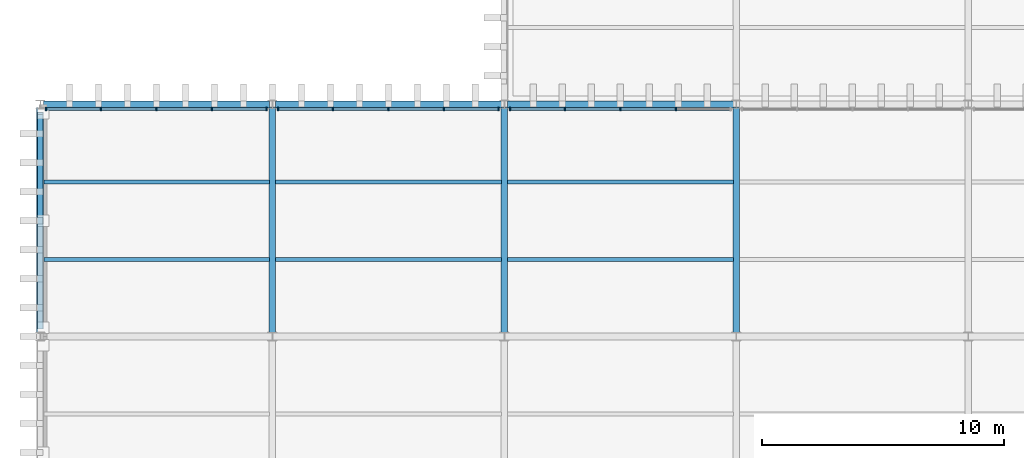
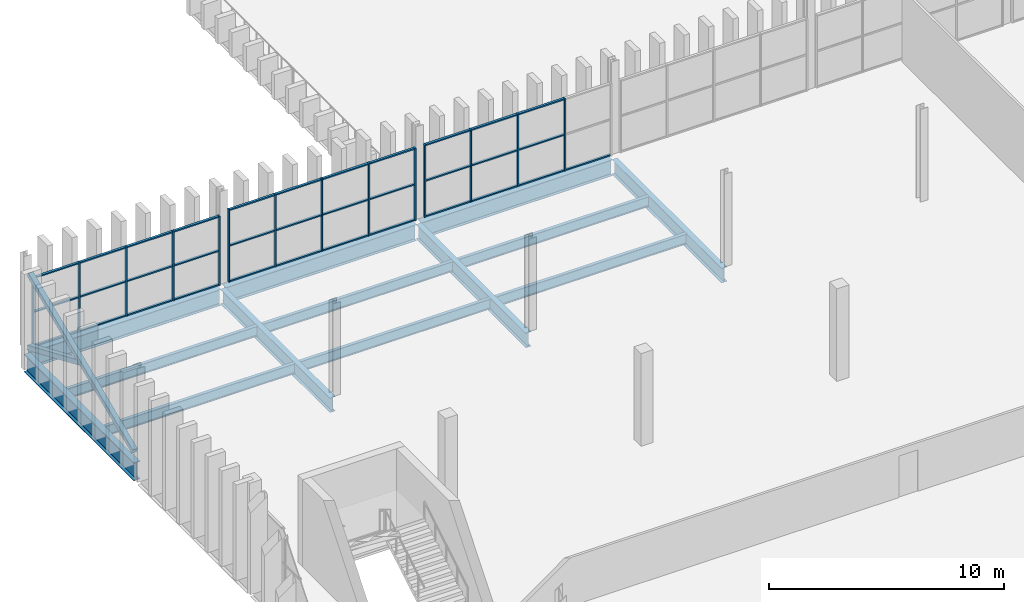
# One storey, part 25 of 99: 50 members, 13 beams, 3 elements without a shape of their own.
"""IFC4 building model written with IfcOpenShell, lengths in metres."""

from ifc_helpers import new_model, si_unit, direction, frame, origin, origin_2d, place, context, subcontext, project, spatial, rectangle, hollow_rectangle, i_section, extrude, material, layer, layer_set, material_profile, profile_set, type_object, element, aggregate, save


model = new_model("IFC4")

# Units and contexts
model_context = context("Model", 3, precision=1e-05, world=origin(), true_north=direction((0.0, 1.0)))
body_context = subcontext(model_context, "Body", "Model", "MODEL_VIEW")
ifc_project = project(units=[si_unit("LENGTHUNIT", "METRE"), si_unit("AREAUNIT", "SQUARE_METRE"), si_unit("VOLUMEUNIT", "CUBIC_METRE"), si_unit("PLANEANGLEUNIT", "RADIAN"), si_unit("MASSUNIT", "GRAM", prefix="KILO")], contexts=[model_context])

# Site, building, storey
site_placement = place(None, origin())
site = spatial("IfcSite", under=ifc_project, at=site_placement, CompositionType="ELEMENT")
building_placement = place(site_placement, origin())
building = spatial("IfcBuilding", under=site, at=building_placement, Name="Caelomonte Colonnade Arena", CompositionType="ELEMENT")
storey_placement = place(building_placement, frame((0.0, 0.0, 4.800048828125)))
storey = spatial("IfcBuildingStorey", under=building, at=storey_placement, Name="L01", CompositionType="ELEMENT", Elevation=4.800048828125)

# Curtain wall, members
ifc_material_1 = material(Name="Bronze anodised aluminium and low-E glazing", Category="aluminium")
ifc_layer_1 = layer(ifc_material_1, 0.179931640625)
ifc_layer_set_1 = layer_set([ifc_layer_1], Name="Bronze anodised aluminium and low-E glazing")
curtain_wall_type_1 = type_object("IfcCurtainWallType", Name="ENV-CW-CW-L01-96-38", PredefinedType="USERDEFINED", material=ifc_layer_set_1)
curtain_wall_1_placement = place(storey_placement, origin())
curtain_wall_1 = element("IfcCurtainWall", 1, at=curtain_wall_1_placement, inside=storey, type_object=curtain_wall_type_1, Name="L01 unitized curtain wall CW-L01-0240-0862", ObjectType="UNITIZED CURTAIN WALL", PredefinedType="USERDEFINED")
ifc_material_2 = material(Name="Bronze anodised aluminium AA6063-T6", Category="aluminium")
ifc_material_profile_1 = material_profile(ifc_material_2, rectangle(XDim=0.06494140625, YDim=0.14990234375, at=origin_2d()), Name="CWM-65X150")
ifc_profile_set_1 = profile_set([ifc_material_profile_1], Name="Bronze anodised aluminium AA6063-T6")
member_type_1 = type_object("IfcMemberType", Name="ENV-CW-MULL2", PredefinedType="MULLION", material=ifc_profile_set_1)
member_1_placement = place(storey_placement, frame((26.2978515625, 86.219970703125, 0.0), z_axis=(0.0, 0.0, 1.0), x_axis=(-1.0, 0.0, 0.0)))
member_1 = element("IfcMember", 2, at=member_1_placement, type_object=member_type_1, Name="CW-L01-96-38 mullion 2", PredefinedType="MULLION", context=body_context, shape_type="SweptSolid", body=[
    extrude(rectangle(XDim=0.06494140625, YDim=0.14990234375, at=origin_2d()), origin(), (0.0, 0.0, 1.0), 3.758056640625),
])
member_2_placement = place(storey_placement, frame((24.0, 86.219970703125, 0.0), z_axis=(0.0, 0.0, 1.0), x_axis=(-1.0, 0.0, 0.0)))
member_2 = element("IfcMember", 3, at=member_2_placement, type_object=member_type_1, Name="CW-L01-96-38 mullion 3", PredefinedType="MULLION", context=body_context, shape_type="SweptSolid", body=[
    extrude(rectangle(XDim=0.06494140625, YDim=0.14990234375, at=origin_2d()), origin(), (0.0, 0.0, 1.0), 3.758056640625),
])
member_3_placement = place(storey_placement, frame((21.7021484375, 86.219970703125, 0.0), z_axis=(0.0, 0.0, 1.0), x_axis=(-1.0, 0.0, 0.0)))
member_3 = element("IfcMember", 4, at=member_3_placement, type_object=member_type_1, Name="CW-L01-96-38 mullion 4", PredefinedType="MULLION", context=body_context, shape_type="SweptSolid", body=[
    extrude(rectangle(XDim=0.06494140625, YDim=0.14990234375, at=origin_2d()), origin(), (0.0, 0.0, 1.0), 3.758056640625),
])
member_4_placement = place(storey_placement, frame((19.43701171875, 86.219970703125, 0.0), z_axis=(0.0, 0.0, 1.0), x_axis=(-1.0, 0.0, 0.0)))
member_4 = element("IfcMember", 5, at=member_4_placement, type_object=member_type_1, Name="CW-L01-96-38 mullion 5", PredefinedType="MULLION", context=body_context, shape_type="SweptSolid", body=[
    extrude(rectangle(XDim=0.06494140625, YDim=0.14990234375, at=origin_2d()), origin(), (0.0, 0.0, 1.0), 3.758056640625),
])

curtain_wall_2_placement = place(storey_placement, origin())
curtain_wall_2 = element("IfcCurtainWall", 6, at=curtain_wall_2_placement, inside=storey, type_object=curtain_wall_type_1, Name="L01 unitized curtain wall CW-L01-0144-0862", ObjectType="UNITIZED CURTAIN WALL", PredefinedType="USERDEFINED")
member_5_placement = place(storey_placement, frame((18.963134765625, 86.219970703125, 0.0), z_axis=(0.0, 0.0, 1.0), x_axis=(-1.0, 0.0, 0.0)))
member_5 = element("IfcMember", 7, at=member_5_placement, type_object=member_type_1, Name="CW-L01-96-38 mullion 1", PredefinedType="MULLION", context=body_context, shape_type="SweptSolid", body=[
    extrude(rectangle(XDim=0.06494140625, YDim=0.14990234375, at=origin_2d()), origin(), (0.0, 0.0, 1.0), 3.758056640625),
])
member_6_placement = place(storey_placement, frame((16.69775390625, 86.219970703125, 0.0), z_axis=(0.0, 0.0, 1.0), x_axis=(-1.0, 0.0, 0.0)))
member_6 = element("IfcMember", 8, at=member_6_placement, type_object=member_type_1, Name="CW-L01-96-38 mullion 2", PredefinedType="MULLION", context=body_context, shape_type="SweptSolid", body=[
    extrude(rectangle(XDim=0.06494140625, YDim=0.14990234375, at=origin_2d()), origin(), (0.0, 0.0, 1.0), 3.758056640625),
])
member_7_placement = place(storey_placement, frame((14.39990234375, 86.219970703125, 0.0), z_axis=(0.0, 0.0, 1.0), x_axis=(-1.0, 0.0, 0.0)))
member_7 = element("IfcMember", 9, at=member_7_placement, type_object=member_type_1, Name="CW-L01-96-38 mullion 3", PredefinedType="MULLION", context=body_context, shape_type="SweptSolid", body=[
    extrude(rectangle(XDim=0.06494140625, YDim=0.14990234375, at=origin_2d()), origin(), (0.0, 0.0, 1.0), 3.758056640625),
])
member_8_placement = place(storey_placement, frame((12.102294921875, 86.219970703125, 0.0), z_axis=(0.0, 0.0, 1.0), x_axis=(-1.0, 0.0, 0.0)))
member_8 = element("IfcMember", 10, at=member_8_placement, type_object=member_type_1, Name="CW-L01-96-38 mullion 4", PredefinedType="MULLION", context=body_context, shape_type="SweptSolid", body=[
    extrude(rectangle(XDim=0.06494140625, YDim=0.14990234375, at=origin_2d()), origin(), (0.0, 0.0, 1.0), 3.758056640625),
])
member_9_placement = place(storey_placement, frame((9.8369140625, 86.219970703125, 0.0), z_axis=(0.0, 0.0, 1.0), x_axis=(-1.0, 0.0, 0.0)))
member_9 = element("IfcMember", 11, at=member_9_placement, type_object=member_type_1, Name="CW-L01-96-38 mullion 5", PredefinedType="MULLION", context=body_context, shape_type="SweptSolid", body=[
    extrude(rectangle(XDim=0.06494140625, YDim=0.14990234375, at=origin_2d()), origin(), (0.0, 0.0, 1.0), 3.758056640625),
])

ifc_layer_2 = layer(ifc_material_1, 0.179931640625)
ifc_layer_set_2 = layer_set([ifc_layer_2], Name="Bronze anodised aluminium and low-E glazing")
curtain_wall_type_2 = type_object("IfcCurtainWallType", Name="ENV-CW-CW-L01-96-36", PredefinedType="USERDEFINED", material=ifc_layer_set_2)
curtain_wall_3_placement = place(storey_placement, origin())
curtain_wall_3 = element("IfcCurtainWall", 12, at=curtain_wall_3_placement, inside=storey, type_object=curtain_wall_type_2, Name="L01 unitized curtain wall CW-L01-0048-0862", ObjectType="UNITIZED CURTAIN WALL", PredefinedType="USERDEFINED")
member_10_placement = place(storey_placement, frame((9.363037109375, 86.219970703125, 0.0), z_axis=(0.0, 0.0, 1.0), x_axis=(-1.0, 0.0, 0.0)))
member_10 = element("IfcMember", 13, at=member_10_placement, type_object=member_type_1, Name="CW-L01-96-36 mullion 1", PredefinedType="MULLION", context=body_context, shape_type="SweptSolid", body=[
    extrude(rectangle(XDim=0.06494140625, YDim=0.14990234375, at=origin_2d()), origin(), (0.0, 0.0, 1.0), 3.593017578125),
])
member_11_placement = place(storey_placement, frame((7.097900390625, 86.219970703125, 0.0), z_axis=(0.0, 0.0, 1.0), x_axis=(-1.0, 0.0, 0.0)))
member_11 = element("IfcMember", 14, at=member_11_placement, type_object=member_type_1, Name="CW-L01-96-36 mullion 2", PredefinedType="MULLION", context=body_context, shape_type="SweptSolid", body=[
    extrude(rectangle(XDim=0.06494140625, YDim=0.14990234375, at=origin_2d()), origin(), (0.0, 0.0, 1.0), 3.593017578125),
])
member_12_placement = place(storey_placement, frame((4.800048828125, 86.219970703125, 0.0), z_axis=(0.0, 0.0, 1.0), x_axis=(-1.0, 0.0, 0.0)))
member_12 = element("IfcMember", 15, at=member_12_placement, type_object=member_type_1, Name="CW-L01-96-36 mullion 3", PredefinedType="MULLION", context=body_context, shape_type="SweptSolid", body=[
    extrude(rectangle(XDim=0.06494140625, YDim=0.14990234375, at=origin_2d()), origin(), (0.0, 0.0, 1.0), 3.593017578125),
])
member_13_placement = place(storey_placement, frame((2.502197265625, 86.219970703125, 0.0), z_axis=(0.0, 0.0, 1.0), x_axis=(-1.0, 0.0, 0.0)))
member_13 = element("IfcMember", 16, at=member_13_placement, type_object=member_type_1, Name="CW-L01-96-36 mullion 4", PredefinedType="MULLION", context=body_context, shape_type="SweptSolid", body=[
    extrude(rectangle(XDim=0.06494140625, YDim=0.14990234375, at=origin_2d()), origin(), (0.0, 0.0, 1.0), 3.593017578125),
])
member_14_placement = place(storey_placement, frame((0.23681640625, 86.219970703125, 0.0), z_axis=(0.0, 0.0, 1.0), x_axis=(-1.0, 0.0, 0.0)))
member_14 = element("IfcMember", 17, at=member_14_placement, type_object=member_type_1, Name="CW-L01-96-36 mullion 5", PredefinedType="MULLION", context=body_context, shape_type="SweptSolid", body=[
    extrude(rectangle(XDim=0.06494140625, YDim=0.14990234375, at=origin_2d()), origin(), (0.0, 0.0, 1.0), 3.593017578125),
])

# Member
ifc_material_profile_2 = material_profile(ifc_material_2, rectangle(XDim=0.06494140625, YDim=0.1201171875, at=origin_2d()), Name="CWT-65X120")
ifc_profile_set_2 = profile_set([ifc_material_profile_2], Name="Bronze anodised aluminium AA6063-T6")
member_type_2 = type_object("IfcMemberType", Name="ENV-CW-TRAN2", PredefinedType="USERDEFINED", material=ifc_profile_set_2)
member_15_placement = place(storey_placement, frame((28.530517578125, 86.219970703125, 0.032470703125), z_axis=(-1.0, 0.0, 0.0), x_axis=(0.0, 0.0, 1.0)))
member_15 = element("IfcMember", 18, at=member_15_placement, type_object=member_type_2, Name="CW-L01-96-38 transom 1.1", ObjectType="TRANSOM", PredefinedType="USERDEFINED", context=body_context, shape_type="SweptSolid", body=[
    extrude(rectangle(XDim=0.06494140625, YDim=0.1201171875, at=origin_2d()), origin(), (0.0, 0.0, 1.0), 2.2001953125),
])

member_16_placement = place(storey_placement, frame((26.265380859375, 86.219970703125, 0.032470703125), z_axis=(-1.0, 0.0, 0.0), x_axis=(0.0, 0.0, 1.0)))
member_16 = element("IfcMember", 19, at=member_16_placement, type_object=member_type_2, Name="CW-L01-96-38 transom 2.1", ObjectType="TRANSOM", PredefinedType="USERDEFINED", context=body_context, shape_type="SweptSolid", body=[
    extrude(rectangle(XDim=0.06494140625, YDim=0.1201171875, at=origin_2d()), origin(), (0.0, 0.0, 1.0), 2.23291015625),
])

member_17_placement = place(storey_placement, frame((26.265380859375, 86.219970703125, 1.87890625), z_axis=(-1.0, 0.0, 0.0), x_axis=(0.0, 0.0, 1.0)))
member_17 = element("IfcMember", 20, at=member_17_placement, type_object=member_type_2, Name="CW-L01-96-38 transom 2.2", ObjectType="TRANSOM", PredefinedType="USERDEFINED", context=body_context, shape_type="SweptSolid", body=[
    extrude(rectangle(XDim=0.06494140625, YDim=0.1201171875, at=origin_2d()), origin(), (0.0, 0.0, 1.0), 2.23291015625),
])

member_18_placement = place(storey_placement, frame((26.265380859375, 86.219970703125, 3.725341796875), z_axis=(-1.0, 0.0, 0.0), x_axis=(0.0, 0.0, 1.0)))
member_18 = element("IfcMember", 21, at=member_18_placement, type_object=member_type_2, Name="CW-L01-96-38 transom 2.3", ObjectType="TRANSOM", PredefinedType="USERDEFINED", context=body_context, shape_type="SweptSolid", body=[
    extrude(rectangle(XDim=0.06494140625, YDim=0.1201171875, at=origin_2d()), origin(), (0.0, 0.0, 1.0), 2.23291015625),
])

member_19_placement = place(storey_placement, frame((23.967529296875, 86.219970703125, 0.032470703125), z_axis=(-1.0, 0.0, 0.0), x_axis=(0.0, 0.0, 1.0)))
member_19 = element("IfcMember", 22, at=member_19_placement, type_object=member_type_2, Name="CW-L01-96-38 transom 3.1", ObjectType="TRANSOM", PredefinedType="USERDEFINED", context=body_context, shape_type="SweptSolid", body=[
    extrude(rectangle(XDim=0.06494140625, YDim=0.1201171875, at=origin_2d()), origin(), (0.0, 0.0, 1.0), 2.23291015625),
])

member_20_placement = place(storey_placement, frame((23.967529296875, 86.219970703125, 1.87890625), z_axis=(-1.0, 0.0, 0.0), x_axis=(0.0, 0.0, 1.0)))
member_20 = element("IfcMember", 23, at=member_20_placement, type_object=member_type_2, Name="CW-L01-96-38 transom 3.2", ObjectType="TRANSOM", PredefinedType="USERDEFINED", context=body_context, shape_type="SweptSolid", body=[
    extrude(rectangle(XDim=0.06494140625, YDim=0.1201171875, at=origin_2d()), origin(), (0.0, 0.0, 1.0), 2.23291015625),
])

member_21_placement = place(storey_placement, frame((23.967529296875, 86.219970703125, 3.725341796875), z_axis=(-1.0, 0.0, 0.0), x_axis=(0.0, 0.0, 1.0)))
member_21 = element("IfcMember", 24, at=member_21_placement, type_object=member_type_2, Name="CW-L01-96-38 transom 3.3", ObjectType="TRANSOM", PredefinedType="USERDEFINED", context=body_context, shape_type="SweptSolid", body=[
    extrude(rectangle(XDim=0.06494140625, YDim=0.1201171875, at=origin_2d()), origin(), (0.0, 0.0, 1.0), 2.23291015625),
])

member_22_placement = place(storey_placement, frame((21.669677734375, 86.219970703125, 0.032470703125), z_axis=(-1.0, 0.0, 0.0), x_axis=(0.0, 0.0, 1.0)))
member_22 = element("IfcMember", 25, at=member_22_placement, type_object=member_type_2, Name="CW-L01-96-38 transom 4.1", ObjectType="TRANSOM", PredefinedType="USERDEFINED", context=body_context, shape_type="SweptSolid", body=[
    extrude(rectangle(XDim=0.06494140625, YDim=0.1201171875, at=origin_2d()), origin(), (0.0, 0.0, 1.0), 2.2001953125),
])

member_23_placement = place(storey_placement, frame((21.669677734375, 86.219970703125, 1.87890625), z_axis=(-1.0, 0.0, 0.0), x_axis=(0.0, 0.0, 1.0)))
member_23 = element("IfcMember", 26, at=member_23_placement, type_object=member_type_2, Name="CW-L01-96-38 transom 4.2", ObjectType="TRANSOM", PredefinedType="USERDEFINED", context=body_context, shape_type="SweptSolid", body=[
    extrude(rectangle(XDim=0.06494140625, YDim=0.1201171875, at=origin_2d()), origin(), (0.0, 0.0, 1.0), 2.2001953125),
])

member_24_placement = place(storey_placement, frame((21.669677734375, 86.219970703125, 3.725341796875), z_axis=(-1.0, 0.0, 0.0), x_axis=(0.0, 0.0, 1.0)))
member_24 = element("IfcMember", 27, at=member_24_placement, type_object=member_type_2, Name="CW-L01-96-38 transom 4.3", ObjectType="TRANSOM", PredefinedType="USERDEFINED", context=body_context, shape_type="SweptSolid", body=[
    extrude(rectangle(XDim=0.06494140625, YDim=0.1201171875, at=origin_2d()), origin(), (0.0, 0.0, 1.0), 2.2001953125),
])

aggregate(curtain_wall_1, [member_1, member_2, member_3, member_4, member_15, member_16, member_17, member_18, member_19, member_20, member_21, member_22, member_23, member_24])

member_25_placement = place(storey_placement, frame((18.9306640625, 86.219970703125, 0.032470703125), z_axis=(-1.0, 0.0, 0.0), x_axis=(0.0, 0.0, 1.0)))
member_25 = element("IfcMember", 28, at=member_25_placement, type_object=member_type_2, Name="CW-L01-96-38 transom 1.1", ObjectType="TRANSOM", PredefinedType="USERDEFINED", context=body_context, shape_type="SweptSolid", body=[
    extrude(rectangle(XDim=0.06494140625, YDim=0.1201171875, at=origin_2d()), origin(), (0.0, 0.0, 1.0), 2.200439453125),
])

member_26_placement = place(storey_placement, frame((18.9306640625, 86.219970703125, 1.87890625), z_axis=(-1.0, 0.0, 0.0), x_axis=(0.0, 0.0, 1.0)))
member_26 = element("IfcMember", 29, at=member_26_placement, type_object=member_type_2, Name="CW-L01-96-38 transom 1.2", ObjectType="TRANSOM", PredefinedType="USERDEFINED", context=body_context, shape_type="SweptSolid", body=[
    extrude(rectangle(XDim=0.06494140625, YDim=0.1201171875, at=origin_2d()), origin(), (0.0, 0.0, 1.0), 2.200439453125),
])

member_27_placement = place(storey_placement, frame((18.9306640625, 86.219970703125, 3.725341796875), z_axis=(-1.0, 0.0, 0.0), x_axis=(0.0, 0.0, 1.0)))
member_27 = element("IfcMember", 30, at=member_27_placement, type_object=member_type_2, Name="CW-L01-96-38 transom 1.3", ObjectType="TRANSOM", PredefinedType="USERDEFINED", context=body_context, shape_type="SweptSolid", body=[
    extrude(rectangle(XDim=0.06494140625, YDim=0.1201171875, at=origin_2d()), origin(), (0.0, 0.0, 1.0), 2.200439453125),
])

member_28_placement = place(storey_placement, frame((16.665283203125, 86.219970703125, 0.032470703125), z_axis=(-1.0, 0.0, 0.0), x_axis=(0.0, 0.0, 1.0)))
member_28 = element("IfcMember", 31, at=member_28_placement, type_object=member_type_2, Name="CW-L01-96-38 transom 2.1", ObjectType="TRANSOM", PredefinedType="USERDEFINED", context=body_context, shape_type="SweptSolid", body=[
    extrude(rectangle(XDim=0.06494140625, YDim=0.1201171875, at=origin_2d()), origin(), (0.0, 0.0, 1.0), 2.232666015625),
])

member_29_placement = place(storey_placement, frame((16.665283203125, 86.219970703125, 1.87890625), z_axis=(-1.0, 0.0, 0.0), x_axis=(0.0, 0.0, 1.0)))
member_29 = element("IfcMember", 32, at=member_29_placement, type_object=member_type_2, Name="CW-L01-96-38 transom 2.2", ObjectType="TRANSOM", PredefinedType="USERDEFINED", context=body_context, shape_type="SweptSolid", body=[
    extrude(rectangle(XDim=0.06494140625, YDim=0.1201171875, at=origin_2d()), origin(), (0.0, 0.0, 1.0), 2.232666015625),
])

member_30_placement = place(storey_placement, frame((16.665283203125, 86.219970703125, 3.725341796875), z_axis=(-1.0, 0.0, 0.0), x_axis=(0.0, 0.0, 1.0)))
member_30 = element("IfcMember", 33, at=member_30_placement, type_object=member_type_2, Name="CW-L01-96-38 transom 2.3", ObjectType="TRANSOM", PredefinedType="USERDEFINED", context=body_context, shape_type="SweptSolid", body=[
    extrude(rectangle(XDim=0.06494140625, YDim=0.1201171875, at=origin_2d()), origin(), (0.0, 0.0, 1.0), 2.232666015625),
])

member_31_placement = place(storey_placement, frame((14.367431640625, 86.219970703125, 0.032470703125), z_axis=(-1.0, 0.0, 0.0), x_axis=(0.0, 0.0, 1.0)))
member_31 = element("IfcMember", 34, at=member_31_placement, type_object=member_type_2, Name="CW-L01-96-38 transom 3.1", ObjectType="TRANSOM", PredefinedType="USERDEFINED", context=body_context, shape_type="SweptSolid", body=[
    extrude(rectangle(XDim=0.06494140625, YDim=0.1201171875, at=origin_2d()), origin(), (0.0, 0.0, 1.0), 2.232666015625),
])

member_32_placement = place(storey_placement, frame((14.367431640625, 86.219970703125, 1.87890625), z_axis=(-1.0, 0.0, 0.0), x_axis=(0.0, 0.0, 1.0)))
member_32 = element("IfcMember", 35, at=member_32_placement, type_object=member_type_2, Name="CW-L01-96-38 transom 3.2", ObjectType="TRANSOM", PredefinedType="USERDEFINED", context=body_context, shape_type="SweptSolid", body=[
    extrude(rectangle(XDim=0.06494140625, YDim=0.1201171875, at=origin_2d()), origin(), (0.0, 0.0, 1.0), 2.232666015625),
])

member_33_placement = place(storey_placement, frame((14.367431640625, 86.219970703125, 3.725341796875), z_axis=(-1.0, 0.0, 0.0), x_axis=(0.0, 0.0, 1.0)))
member_33 = element("IfcMember", 36, at=member_33_placement, type_object=member_type_2, Name="CW-L01-96-38 transom 3.3", ObjectType="TRANSOM", PredefinedType="USERDEFINED", context=body_context, shape_type="SweptSolid", body=[
    extrude(rectangle(XDim=0.06494140625, YDim=0.1201171875, at=origin_2d()), origin(), (0.0, 0.0, 1.0), 2.232666015625),
])

member_34_placement = place(storey_placement, frame((12.069580078125, 86.219970703125, 0.032470703125), z_axis=(-1.0, 0.0, 0.0), x_axis=(0.0, 0.0, 1.0)))
member_34 = element("IfcMember", 37, at=member_34_placement, type_object=member_type_2, Name="CW-L01-96-38 transom 4.1", ObjectType="TRANSOM", PredefinedType="USERDEFINED", context=body_context, shape_type="SweptSolid", body=[
    extrude(rectangle(XDim=0.06494140625, YDim=0.1201171875, at=origin_2d()), origin(), (0.0, 0.0, 1.0), 2.2001953125),
])

member_35_placement = place(storey_placement, frame((12.069580078125, 86.219970703125, 1.87890625), z_axis=(-1.0, 0.0, 0.0), x_axis=(0.0, 0.0, 1.0)))
member_35 = element("IfcMember", 38, at=member_35_placement, type_object=member_type_2, Name="CW-L01-96-38 transom 4.2", ObjectType="TRANSOM", PredefinedType="USERDEFINED", context=body_context, shape_type="SweptSolid", body=[
    extrude(rectangle(XDim=0.06494140625, YDim=0.1201171875, at=origin_2d()), origin(), (0.0, 0.0, 1.0), 2.2001953125),
])

member_36_placement = place(storey_placement, frame((12.069580078125, 86.219970703125, 3.725341796875), z_axis=(-1.0, 0.0, 0.0), x_axis=(0.0, 0.0, 1.0)))
member_36 = element("IfcMember", 39, at=member_36_placement, type_object=member_type_2, Name="CW-L01-96-38 transom 4.3", ObjectType="TRANSOM", PredefinedType="USERDEFINED", context=body_context, shape_type="SweptSolid", body=[
    extrude(rectangle(XDim=0.06494140625, YDim=0.1201171875, at=origin_2d()), origin(), (0.0, 0.0, 1.0), 2.2001953125),
])

aggregate(curtain_wall_2, [member_5, member_6, member_7, member_8, member_9, member_25, member_26, member_27, member_28, member_29, member_30, member_31, member_32, member_33, member_34, member_35, member_36])

member_37_placement = place(storey_placement, frame((9.33056640625, 86.219970703125, 0.032470703125), z_axis=(-1.0, 0.0, 0.0), x_axis=(0.0, 0.0, 1.0)))
member_37 = element("IfcMember", 40, at=member_37_placement, type_object=member_type_2, Name="CW-L01-96-36 transom 1.1", ObjectType="TRANSOM", PredefinedType="USERDEFINED", context=body_context, shape_type="SweptSolid", body=[
    extrude(rectangle(XDim=0.06494140625, YDim=0.1201171875, at=origin_2d()), origin(), (0.0, 0.0, 1.0), 2.2001953125),
])

member_38_placement = place(storey_placement, frame((9.33056640625, 86.219970703125, 1.79638671875), z_axis=(-1.0, 0.0, 0.0), x_axis=(0.0, 0.0, 1.0)))
member_38 = element("IfcMember", 41, at=member_38_placement, type_object=member_type_2, Name="CW-L01-96-36 transom 1.2", ObjectType="TRANSOM", PredefinedType="USERDEFINED", context=body_context, shape_type="SweptSolid", body=[
    extrude(rectangle(XDim=0.06494140625, YDim=0.1201171875, at=origin_2d()), origin(), (0.0, 0.0, 1.0), 2.2001953125),
])

member_39_placement = place(storey_placement, frame((9.33056640625, 86.219970703125, 3.560546875), z_axis=(-1.0, 0.0, 0.0), x_axis=(0.0, 0.0, 1.0)))
member_39 = element("IfcMember", 42, at=member_39_placement, type_object=member_type_2, Name="CW-L01-96-36 transom 1.3", ObjectType="TRANSOM", PredefinedType="USERDEFINED", context=body_context, shape_type="SweptSolid", body=[
    extrude(rectangle(XDim=0.06494140625, YDim=0.1201171875, at=origin_2d()), origin(), (0.0, 0.0, 1.0), 2.2001953125),
])

member_40_placement = place(storey_placement, frame((7.065185546875, 86.219970703125, 0.032470703125), z_axis=(-1.0, 0.0, 0.0), x_axis=(0.0, 0.0, 1.0)))
member_40 = element("IfcMember", 43, at=member_40_placement, type_object=member_type_2, Name="CW-L01-96-36 transom 2.1", ObjectType="TRANSOM", PredefinedType="USERDEFINED", context=body_context, shape_type="SweptSolid", body=[
    extrude(rectangle(XDim=0.06494140625, YDim=0.1201171875, at=origin_2d()), origin(), (0.0, 0.0, 1.0), 2.232666015625),
])

member_41_placement = place(storey_placement, frame((7.065185546875, 86.219970703125, 1.79638671875), z_axis=(-1.0, 0.0, 0.0), x_axis=(0.0, 0.0, 1.0)))
member_41 = element("IfcMember", 44, at=member_41_placement, type_object=member_type_2, Name="CW-L01-96-36 transom 2.2", ObjectType="TRANSOM", PredefinedType="USERDEFINED", context=body_context, shape_type="SweptSolid", body=[
    extrude(rectangle(XDim=0.06494140625, YDim=0.1201171875, at=origin_2d()), origin(), (0.0, 0.0, 1.0), 2.232666015625),
])

member_42_placement = place(storey_placement, frame((7.065185546875, 86.219970703125, 3.560546875), z_axis=(-1.0, 0.0, 0.0), x_axis=(0.0, 0.0, 1.0)))
member_42 = element("IfcMember", 45, at=member_42_placement, type_object=member_type_2, Name="CW-L01-96-36 transom 2.3", ObjectType="TRANSOM", PredefinedType="USERDEFINED", context=body_context, shape_type="SweptSolid", body=[
    extrude(rectangle(XDim=0.06494140625, YDim=0.1201171875, at=origin_2d()), origin(), (0.0, 0.0, 1.0), 2.232666015625),
])

member_43_placement = place(storey_placement, frame((4.767578125, 86.219970703125, 0.032470703125), z_axis=(-1.0, 0.0, 0.0), x_axis=(0.0, 0.0, 1.0)))
member_43 = element("IfcMember", 46, at=member_43_placement, type_object=member_type_2, Name="CW-L01-96-36 transom 3.1", ObjectType="TRANSOM", PredefinedType="USERDEFINED", context=body_context, shape_type="SweptSolid", body=[
    extrude(rectangle(XDim=0.06494140625, YDim=0.1201171875, at=origin_2d()), origin(), (0.0, 0.0, 1.0), 2.23291015625),
])

member_44_placement = place(storey_placement, frame((4.767578125, 86.219970703125, 1.79638671875), z_axis=(-1.0, 0.0, 0.0), x_axis=(0.0, 0.0, 1.0)))
member_44 = element("IfcMember", 47, at=member_44_placement, type_object=member_type_2, Name="CW-L01-96-36 transom 3.2", ObjectType="TRANSOM", PredefinedType="USERDEFINED", context=body_context, shape_type="SweptSolid", body=[
    extrude(rectangle(XDim=0.06494140625, YDim=0.1201171875, at=origin_2d()), origin(), (0.0, 0.0, 1.0), 2.23291015625),
])

member_45_placement = place(storey_placement, frame((4.767578125, 86.219970703125, 3.560546875), z_axis=(-1.0, 0.0, 0.0), x_axis=(0.0, 0.0, 1.0)))
member_45 = element("IfcMember", 48, at=member_45_placement, type_object=member_type_2, Name="CW-L01-96-36 transom 3.3", ObjectType="TRANSOM", PredefinedType="USERDEFINED", context=body_context, shape_type="SweptSolid", body=[
    extrude(rectangle(XDim=0.06494140625, YDim=0.1201171875, at=origin_2d()), origin(), (0.0, 0.0, 1.0), 2.23291015625),
])

member_46_placement = place(storey_placement, frame((2.4697265625, 86.219970703125, 0.032470703125), z_axis=(-1.0, 0.0, 0.0), x_axis=(0.0, 0.0, 1.0)))
member_46 = element("IfcMember", 49, at=member_46_placement, type_object=member_type_2, Name="CW-L01-96-36 transom 4.1", ObjectType="TRANSOM", PredefinedType="USERDEFINED", context=body_context, shape_type="SweptSolid", body=[
    extrude(rectangle(XDim=0.06494140625, YDim=0.1201171875, at=origin_2d()), origin(), (0.0, 0.0, 1.0), 2.200439453125),
])

member_47_placement = place(storey_placement, frame((2.4697265625, 86.219970703125, 1.79638671875), z_axis=(-1.0, 0.0, 0.0), x_axis=(0.0, 0.0, 1.0)))
member_47 = element("IfcMember", 50, at=member_47_placement, type_object=member_type_2, Name="CW-L01-96-36 transom 4.2", ObjectType="TRANSOM", PredefinedType="USERDEFINED", context=body_context, shape_type="SweptSolid", body=[
    extrude(rectangle(XDim=0.06494140625, YDim=0.1201171875, at=origin_2d()), origin(), (0.0, 0.0, 1.0), 2.200439453125),
])

member_48_placement = place(storey_placement, frame((2.4697265625, 86.219970703125, 3.560546875), z_axis=(-1.0, 0.0, 0.0), x_axis=(0.0, 0.0, 1.0)))
member_48 = element("IfcMember", 51, at=member_48_placement, type_object=member_type_2, Name="CW-L01-96-36 transom 4.3", ObjectType="TRANSOM", PredefinedType="USERDEFINED", context=body_context, shape_type="SweptSolid", body=[
    extrude(rectangle(XDim=0.06494140625, YDim=0.1201171875, at=origin_2d()), origin(), (0.0, 0.0, 1.0), 2.200439453125),
])

aggregate(curtain_wall_3, [member_10, member_11, member_12, member_13, member_14, member_37, member_38, member_39, member_40, member_41, member_42, member_43, member_44, member_45, member_46, member_47, member_48])

# Members
ifc_material_3 = material(Name="Steel ASTM A500 Grade C", Category="steel")
ifc_material_profile_3 = material_profile(ifc_material_3, hollow_rectangle(XDim=0.25390625, YDim=0.25390625, WallThickness=0.009521484375, InnerFilletRadius=0.009521484375, OuterFilletRadius=0.01904296875, at=origin_2d()), Name="HSS254X254X9.5")
ifc_profile_set_3 = profile_set([ifc_material_profile_3], Name="Steel ASTM A500 Grade C")
member_type_3 = type_object("IfcMemberType", Name="STR-BF-DIAG2", PredefinedType="BRACE", material=ifc_profile_set_3)
member_49_placement = place(storey_placement, frame((0.0, 77.163818359375, 0.16162109375), z_axis=(0.0, 0.91936602126, 0.393403252342), x_axis=(-1.0, 0.0, 0.0)))
element("IfcMember", 52, at=member_49_placement, inside=storey, type_object=member_type_3, Name="Braced frame BF2 L01 continuous diagonal A", PredefinedType="BRACE", context=body_context, shape_type="SweptSolid", body=[
    extrude(hollow_rectangle(XDim=0.25390625, YDim=0.25390625, WallThickness=0.009521484375, InnerFilletRadius=0.009521484375, OuterFilletRadius=0.01904296875, at=origin_2d()), origin(), (0.0, 0.0, 1.0), 9.650634765625),
])
member_50_placement = place(storey_placement, frame((0.0, 86.036376953125, 0.16162109375), z_axis=(0.0, -0.919375138469, 0.393381945143), x_axis=(1.0, 0.0, 0.0)))
element("IfcMember", 53, at=member_50_placement, inside=storey, type_object=member_type_3, Name="Braced frame BF2 L01 split diagonal B1", PredefinedType="BRACE", context=body_context, shape_type="SweptSolid", body=[
    extrude(hollow_rectangle(XDim=0.25390625, YDim=0.25390625, WallThickness=0.009521484375, InnerFilletRadius=0.009521484375, OuterFilletRadius=0.01904296875, at=origin_2d()), origin(), (0.0, 0.0, 1.0), 4.661376953125),
])

# Beams
ifc_material_4 = material(Name="Wide-flange steel ASTM A992 Grade 50", Category="steel")
ifc_material_profile_4 = material_profile(ifc_material_4, i_section(OverallWidth=0.307861328125, OverallDepth=0.927001953125, WebThickness=0.019287109375, FlangeThickness=0.031982421875, FilletRadius=0.020263671875, at=origin_2d()), Name="W36X194")
ifc_profile_set_4 = profile_set([ifc_material_profile_4], Name="Wide-flange steel ASTM A992 Grade 50")
beam_type_1 = type_object("IfcBeamType", Name="STR-BM-EAVES2", PredefinedType="SPANDREL", material=ifc_profile_set_4)
beam_1_placement = place(storey_placement, frame((0.0, 76.97021484375, -0.763427734375), z_axis=(0.0, 1.0, 0.0), x_axis=(-1.0, 0.0, 0.0)))
element("IfcBeam", 54, at=beam_1_placement, inside=storey, type_object=beam_type_1, Name="L01 girder BMY-L01-0000-0768", PredefinedType="SPANDREL", context=body_context, shape_type="SweptSolid", body=[
    extrude(i_section(OverallWidth=0.307861328125, OverallDepth=0.927001953125, WebThickness=0.019287109375, FlangeThickness=0.031982421875, FilletRadius=0.020263671875, at=origin_2d()), origin(), (0.0, 0.0, 1.0), 9.310791015625),
])
ifc_material_profile_5 = material_profile(ifc_material_4, i_section(OverallWidth=0.2666015625, OverallDepth=0.761962890625, WebThickness=0.014404296875, FlangeThickness=0.021484375, FilletRadius=0.0166015625, at=origin_2d()), Name="W30X116")
ifc_profile_set_5 = profile_set([ifc_material_profile_5], Name="Wide-flange steel ASTM A992 Grade 50")
beam_type_2 = type_object("IfcBeamType", Name="STR-BM-GIRD30", PredefinedType="BEAM", material=ifc_profile_set_5)
for number, where, z_axis, x_axis, name in (
    (55, (9.60009765625, 76.97021484375, -0.68115234375), (0.0, 1.0, 0.0), (-1.0, 0.0, 0.0), "L01 girder BMY-L01-0096-0768"),
    (56, (19.199951171875, 76.97021484375, -0.68115234375), (0.0, 1.0, 0.0), (-1.0, 0.0, 0.0), "L01 girder BMY-L01-0192-0768"),
    (57, (28.800048828125, 76.97021484375, -0.68115234375), (0.0, 1.0, 0.0), (-1.0, 0.0, 0.0), "L01 girder BMY-L01-0288-0768"),
):
    element("IfcBeam", number, at=place(storey_placement, frame(where, z_axis=z_axis, x_axis=x_axis)), inside=storey, type_object=beam_type_2, Name=name, PredefinedType="BEAM", context=body_context, shape_type="SweptSolid", body=[
        extrude(i_section(OverallWidth=0.2666015625, OverallDepth=0.761962890625, WebThickness=0.014404296875, FlangeThickness=0.021484375, FilletRadius=0.0166015625, at=origin_2d()), origin(), (0.0, 0.0, 1.0), 9.310791015625),
    ])
ifc_material_profile_6 = material_profile(ifc_material_4, i_section(OverallWidth=0.2919921875, OverallDepth=0.835693359375, WebThickness=0.013916015625, FlangeThickness=0.018798828125, FilletRadius=0.017822265625, at=origin_2d()), Name="W33X118")
ifc_profile_set_6 = profile_set([ifc_material_profile_6], Name="Wide-flange steel ASTM A992 Grade 50")
beam_type_3 = type_object("IfcBeamType", Name="STR-BM-GIRD33B", PredefinedType="BEAM", material=ifc_profile_set_6)
for number, where, z_axis, x_axis, name in (
    (58, (0.118896484375, 86.39990234375, -0.7177734375), (1.0, 0.0, 0.0), (0.0, 1.0, 0.0), "L01 girder BMX-L01-0000-0864"),
    (59, (9.718994140625, 86.39990234375, -0.7177734375), (1.0, 0.0, 0.0), (0.0, 1.0, 0.0), "L01 girder BMX-L01-0096-0864"),
):
    element("IfcBeam", number, at=place(storey_placement, frame(where, z_axis=z_axis, x_axis=x_axis)), inside=storey, type_object=beam_type_3, Name=name, PredefinedType="BEAM", context=body_context, shape_type="SweptSolid", body=[
        extrude(i_section(OverallWidth=0.2919921875, OverallDepth=0.835693359375, WebThickness=0.013916015625, FlangeThickness=0.018798828125, FilletRadius=0.017822265625, at=origin_2d()), origin(), (0.0, 0.0, 1.0), 9.362060546875),
    ])
beam_2_placement = place(storey_placement, frame((19.319091796875, 86.39990234375, -0.7177734375), z_axis=(1.0, 0.0, 0.0), x_axis=(0.0, 1.0, 0.0)))
element("IfcBeam", 60, at=beam_2_placement, inside=storey, type_object=beam_type_3, Name="L01 girder BMX-L01-0192-0864", PredefinedType="BEAM", context=body_context, shape_type="SweptSolid", body=[
    extrude(i_section(OverallWidth=0.2919921875, OverallDepth=0.835693359375, WebThickness=0.013916015625, FlangeThickness=0.018798828125, FilletRadius=0.017822265625, at=origin_2d()), origin(), (0.0, 0.0, 1.0), 9.36181640625),
])
ifc_material_profile_7 = material_profile(ifc_material_4, i_section(OverallWidth=0.166015625, OverallDepth=0.5283203125, WebThickness=0.009765625, FlangeThickness=0.013671875, FilletRadius=0.0126953125, at=origin_2d()), Name="W21X50")
ifc_profile_set_7 = profile_set([ifc_material_profile_7], Name="Wide-flange steel ASTM A992 Grade 50")
beam_type_4 = type_object("IfcBeamType", Name="STR-BM-JOIST21B", PredefinedType="JOIST", material=ifc_profile_set_7)
for number, where, z_axis, x_axis, name in (
    (61, (0.14892578125, 80.0, -0.564208984375), (1.0, 0.0, 0.0), (0.0, 1.0, 0.0), "L01 secondary joist 1"),
    (62, (0.14892578125, 83.199951171875, -0.564208984375), (1.0, 0.0, 0.0), (0.0, 1.0, 0.0), "L01 secondary joist 2"),
):
    element("IfcBeam", number, at=place(storey_placement, frame(where, z_axis=z_axis, x_axis=x_axis)), inside=storey, type_object=beam_type_4, Name=name, PredefinedType="JOIST", context=body_context, shape_type="SweptSolid", body=[
        extrude(i_section(OverallWidth=0.166015625, OverallDepth=0.5283203125, WebThickness=0.009765625, FlangeThickness=0.013671875, FilletRadius=0.0126953125, at=origin_2d()), origin(), (0.0, 0.0, 1.0), 9.32275390625),
    ])
for number, where, z_axis, x_axis, name in (
    (63, (9.728271484375, 80.0, -0.564208984375), (1.0, 0.0, 0.0), (0.0, 1.0, 0.0), "L01 secondary joist 1"),
    (64, (9.728271484375, 83.199951171875, -0.564208984375), (1.0, 0.0, 0.0), (0.0, 1.0, 0.0), "L01 secondary joist 2"),
    (65, (19.328369140625, 80.0, -0.564208984375), (1.0, 0.0, 0.0), (0.0, 1.0, 0.0), "L01 secondary joist 1"),
    (66, (19.328369140625, 83.199951171875, -0.564208984375), (1.0, 0.0, 0.0), (0.0, 1.0, 0.0), "L01 secondary joist 2"),
):
    element("IfcBeam", number, at=place(storey_placement, frame(where, z_axis=z_axis, x_axis=x_axis)), inside=storey, type_object=beam_type_4, Name=name, PredefinedType="JOIST", context=body_context, shape_type="SweptSolid", body=[
        extrude(i_section(OverallWidth=0.166015625, OverallDepth=0.5283203125, WebThickness=0.009765625, FlangeThickness=0.013671875, FilletRadius=0.0126953125, at=origin_2d()), origin(), (0.0, 0.0, 1.0), 9.34326171875),
    ])

save(model, "model.ifc")
